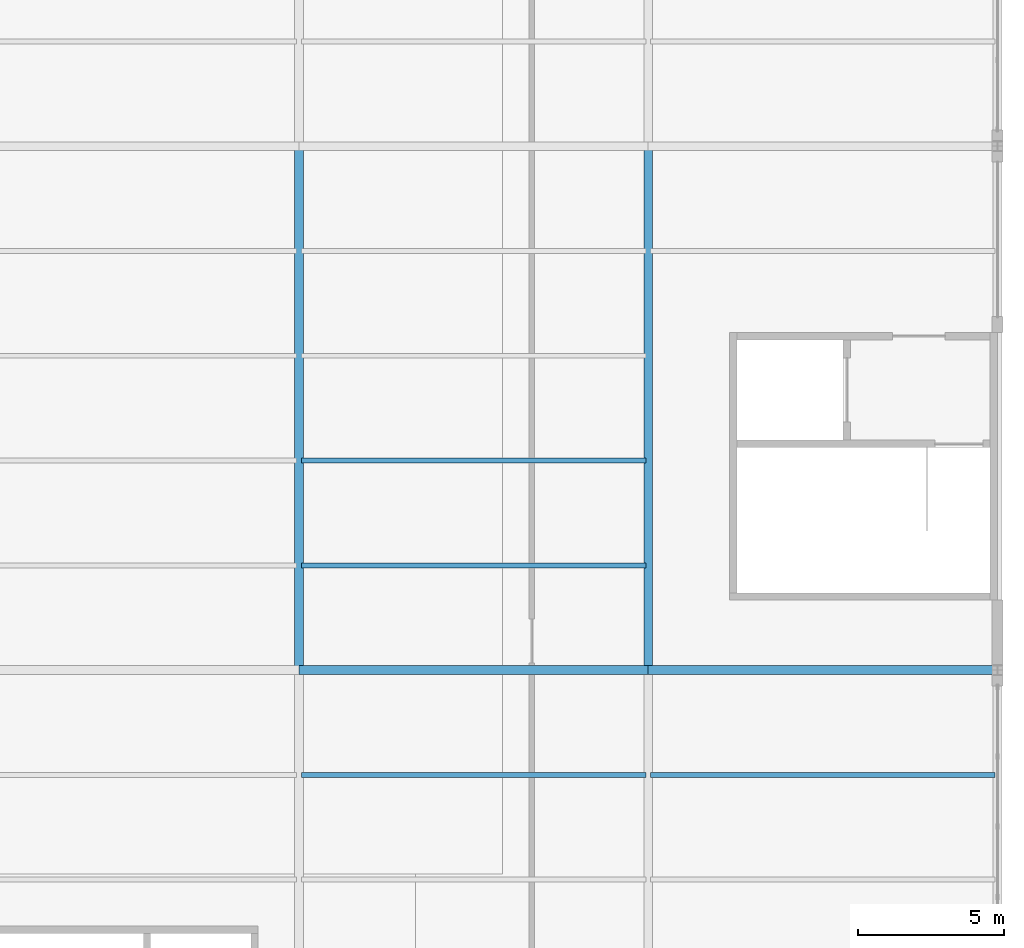
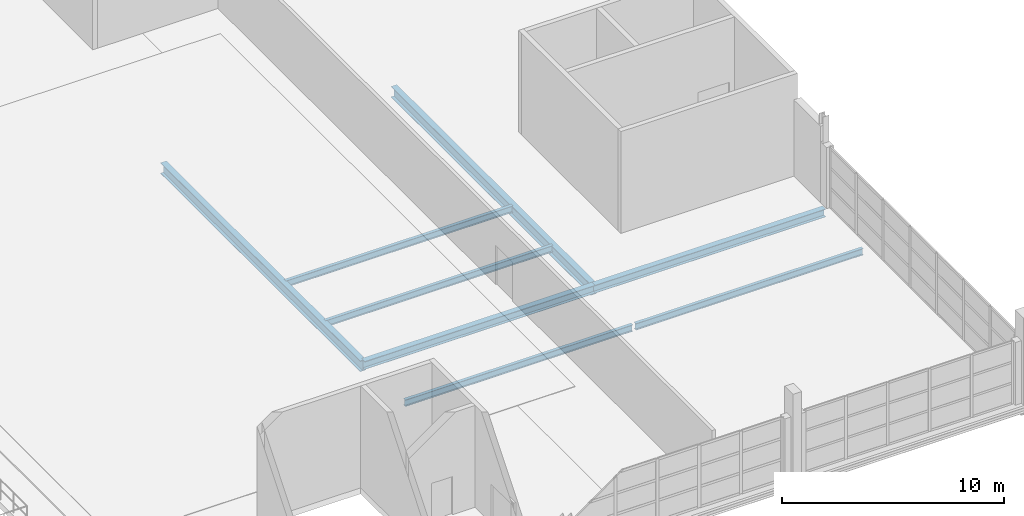
# One storey, part 41 of 86: 8 beams.
"""IFC4 building model written with IfcOpenShell, lengths in metres."""

from ifc_helpers import new_model, si_unit, direction, frame, origin, origin_2d, place, context, subcontext, project, spatial, i_section, extrude, material, material_profile, profile_set, type_object, element, save


model = new_model("IFC4")

# Units and contexts
model_context = context("Model", 3, precision=1e-05, world=origin(), true_north=direction((0.0, 1.0)))
body_context = subcontext(model_context, "Body", "Model", "MODEL_VIEW")
ifc_project = project(units=[si_unit("LENGTHUNIT", "METRE"), si_unit("AREAUNIT", "SQUARE_METRE"), si_unit("VOLUMEUNIT", "CUBIC_METRE"), si_unit("PLANEANGLEUNIT", "RADIAN"), si_unit("MASSUNIT", "GRAM", prefix="KILO")], contexts=[model_context])

# Site, building, storey
site_placement = place(None, origin())
site = spatial("IfcSite", under=ifc_project, at=site_placement, CompositionType="ELEMENT")
building_placement = place(site_placement, origin())
building = spatial("IfcBuilding", under=site, at=building_placement, Name="Zilviju Railside Exhibition Hall", CompositionType="ELEMENT")
storey_placement = place(building_placement, frame((0.0, 0.0, 12.60009765625)))
storey = spatial("IfcBuildingStorey", under=building, at=storey_placement, Name="L04", CompositionType="ELEMENT", Elevation=12.60009765625)

# Beams
ifc_material = material(Name="Steel S355J2", Category="steel")
ifc_material_profile_1 = material_profile(ifc_material, i_section(OverallWidth=0.300048828125, OverallDepth=0.43994140625, WebThickness=0.011474609375, FlangeThickness=0.02099609375, at=origin_2d()), Name="HEA 450")
ifc_profile_set_1 = profile_set([ifc_material_profile_1], Name="Steel S355J2")
beam_type_1 = type_object("IfcBeamType", Name="BM-HEA450", PredefinedType="BEAM", material=ifc_profile_set_1)
for number, where, z_axis, x_axis, name in (
    (1, (192.0, 102.0, -0.550048828125), (1.0, 0.0, 0.0), (0.0, 1.0, 0.0), "Primary Girder L04 Y=102.0 (192.0..204.0)"),
    (2, (204.0, 102.0, -0.550048828125), (1.0, 0.0, 0.0), (0.0, 1.0, 0.0), "Primary Girder L04 Y=102.0 (204.0..216.0)"),
):
    element("IfcBeam", number, at=place(storey_placement, frame(where, z_axis=z_axis, x_axis=x_axis)), inside=storey, type_object=beam_type_1, Name=name, PredefinedType="BEAM", context=body_context, shape_type="SweptSolid", body=[
        extrude(i_section(OverallWidth=0.300048828125, OverallDepth=0.43994140625, WebThickness=0.011474609375, FlangeThickness=0.02099609375, at=origin_2d()), origin(), (0.0, 0.0, 1.0), 12.0),
    ])
ifc_material_profile_2 = material_profile(ifc_material, i_section(OverallWidth=0.300048828125, OverallDepth=0.60009765625, WebThickness=0.015380859375, FlangeThickness=0.030029296875, at=origin_2d()), Name="HEB 600")
ifc_profile_set_2 = profile_set([ifc_material_profile_2], Name="Steel S355J2")
beam_type_2 = type_object("IfcBeamType", Name="BM-HEB600", PredefinedType="BEAM", material=ifc_profile_set_2)
for number, where, z_axis, x_axis, name in (
    (3, (192.0, 102.0, -0.630126953125), (0.0, 1.0, 0.0), (-1.0, 0.0, 0.0), "Transverse Girder L04 X=192.0 (102.0..120.0)"),
    (4, (204.0, 102.0, -0.630126953125), (0.0, 1.0, 0.0), (-1.0, 0.0, 0.0), "Transverse Girder L04 X=204.0 (102.0..120.0)"),
):
    element("IfcBeam", number, at=place(storey_placement, frame(where, z_axis=z_axis, x_axis=x_axis)), inside=storey, type_object=beam_type_2, Name=name, PredefinedType="BEAM", context=body_context, shape_type="SweptSolid", body=[
        extrude(i_section(OverallWidth=0.300048828125, OverallDepth=0.60009765625, WebThickness=0.015380859375, FlangeThickness=0.030029296875, at=origin_2d()), origin(), (0.0, 0.0, 1.0), 18.0),
    ])
ifc_material_profile_3 = material_profile(ifc_material, i_section(OverallWidth=0.169921875, OverallDepth=0.360107421875, WebThickness=0.008056640625, FlangeThickness=0.0126953125, at=origin_2d()), Name="IPE 360")
ifc_profile_set_3 = profile_set([ifc_material_profile_3], Name="Steel S355J2")
beam_type_3 = type_object("IfcBeamType", Name="BM-IPE360", PredefinedType="JOIST", material=ifc_profile_set_3)
for number, where, z_axis, x_axis, name in (
    (5, (192.080078125, 98.39990234375, -0.510009765625), (1.0, 0.0, 0.0), (0.0, 1.0, 0.0), "Composite Floor Joist L04 Y=98.40 (192.0..204.0)"),
    (6, (192.080078125, 105.60009765625, -0.510009765625), (1.0, 0.0, 0.0), (0.0, 1.0, 0.0), "Composite Floor Joist L04 Y=105.60 (192.0..204.0)"),
    (7, (192.080078125, 109.199951171875, -0.510009765625), (1.0, 0.0, 0.0), (0.0, 1.0, 0.0), "Composite Floor Joist L04 Y=109.20 (192.0..204.0)"),
    (8, (204.080078125, 98.39990234375, -0.510009765625), (1.0, 0.0, 0.0), (0.0, 1.0, 0.0), "Composite Floor Joist L04 Y=98.40 (204.0..216.0)"),
):
    element("IfcBeam", number, at=place(storey_placement, frame(where, z_axis=z_axis, x_axis=x_axis)), inside=storey, type_object=beam_type_3, Name=name, PredefinedType="JOIST", context=body_context, shape_type="SweptSolid", body=[
        extrude(i_section(OverallWidth=0.169921875, OverallDepth=0.360107421875, WebThickness=0.008056640625, FlangeThickness=0.0126953125, at=origin_2d()), origin(), (0.0, 0.0, 1.0), 11.83984375),
    ])

save(model, "model.ifc")
